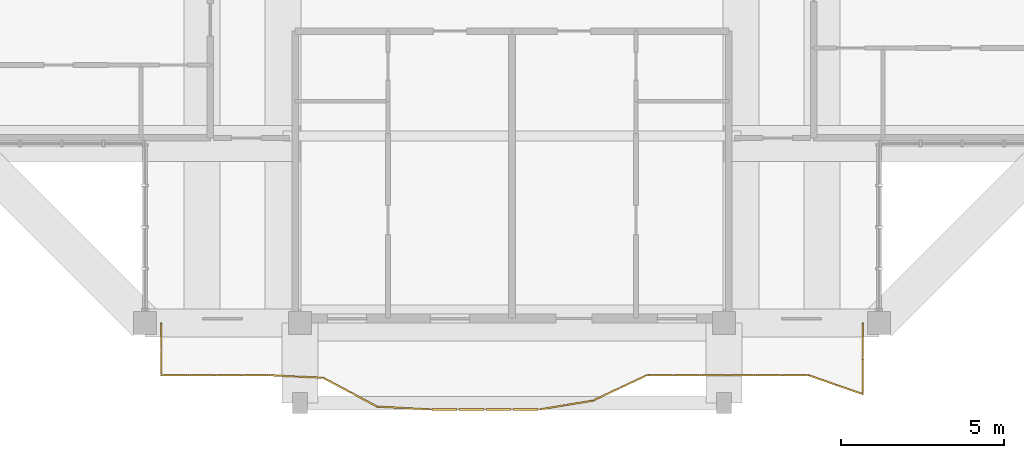
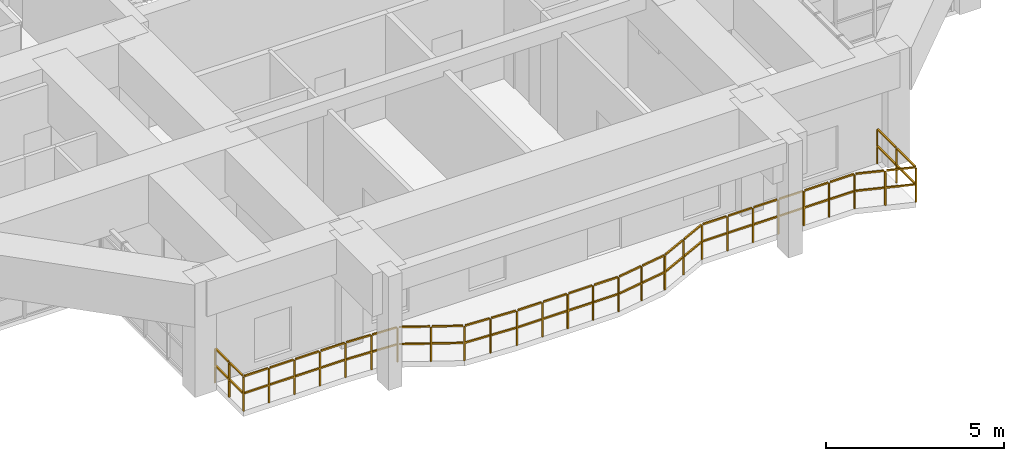
# One storey, part 23 of 27: 1 railing.
"""IFC4 building model written with IfcOpenShell, lengths in metres."""

from ifc_helpers import new_model, si_unit, direction, frame, origin, origin_2d, place, context, subcontext, project, spatial, rectangle, extrude, material, type_object, element, save


model = new_model("IFC4")

# Units and contexts
model_context = context("Model", 3, precision=1e-05, world=origin(), true_north=direction((0.0, 1.0)))
body_context = subcontext(model_context, "Body", "Model", "MODEL_VIEW")
ifc_project = project(units=[si_unit("LENGTHUNIT", "METRE"), si_unit("AREAUNIT", "SQUARE_METRE"), si_unit("VOLUMEUNIT", "CUBIC_METRE"), si_unit("PLANEANGLEUNIT", "RADIAN"), si_unit("MASSUNIT", "GRAM", prefix="KILO")], contexts=[model_context])

# Site, building, storey
site_placement = place(None, origin())
site = spatial("IfcSite", under=ifc_project, at=site_placement, CompositionType="ELEMENT")
building_placement = place(site_placement, origin())
building = spatial("IfcBuilding", under=site, at=building_placement, Name="Saelheon Loggia Tower", CompositionType="ELEMENT")
storey_placement = place(building_placement, frame((0.0, 0.0, 236.10009765625)))
storey = spatial("IfcBuildingStorey", under=building, at=storey_placement, Name="L73", CompositionType="ELEMENT", Elevation=236.10009765625)

# Railing
ifc_material = material(Name="Architectural Precast Concrete and Laminated Glass Guard", Category="concrete")
railing_type = type_object("IfcRailingType", Name="Guard_Loggia_RL_LOG", PredefinedType="BALUSTRADE", material=ifc_material)
railing_placement = place(storey_placement, frame((27.25, 6.0, 0.0)))
element("IfcRailing", 1, at=railing_placement, inside=storey, type_object=railing_type, Name="L73 South Loggia Balustrade", PredefinedType="BALUSTRADE", context=body_context, shape_type="SweptSolid", body=[
    extrude(rectangle(XDim=0.048095703125, YDim=0.048095703125, at=origin_2d()), frame((0.0, -0.033203125, 1.19580078125), z_axis=(0.0, -1.0, 0.0), x_axis=(1.0, 0.0, 0.0)), (0.0, 0.0, 1.0), 0.733642578125),
    extrude(rectangle(XDim=0.048095703125, YDim=0.048095703125, at=origin_2d()), frame((0.0, -0.033203125, 0.60986328125), z_axis=(0.0, -1.0, 0.0), x_axis=(1.0, 0.0, 0.0)), (0.0, 0.0, 1.0), 0.733642578125),
    extrude(rectangle(XDim=0.048095703125, YDim=0.048095703125, at=origin_2d()), frame((0.0, -0.833251953125, 1.19580078125), z_axis=(0.0, -1.0, 0.0), x_axis=(1.0, 0.0, 0.0)), (0.0, 0.0, 1.0), 0.733642578125),
    extrude(rectangle(XDim=0.048095703125, YDim=0.048095703125, at=origin_2d()), frame((0.0, -0.833251953125, 0.60986328125), z_axis=(0.0, -1.0, 0.0), x_axis=(1.0, 0.0, 0.0)), (0.0, 0.0, 1.0), 0.733642578125),
    extrude(rectangle(XDim=0.048095703125, YDim=0.048095703125, at=origin_2d()), frame((0.033203125, -1.60009765625, 1.19580078125), z_axis=(1.0, 0.0, 0.0), x_axis=(0.0, 1.0, 0.0)), (0.0, 0.0, 1.0), 0.760498046875),
    extrude(rectangle(XDim=0.048095703125, YDim=0.048095703125, at=origin_2d()), frame((0.033203125, -1.60009765625, 0.60986328125), z_axis=(1.0, 0.0, 0.0), x_axis=(0.0, 1.0, 0.0)), (0.0, 0.0, 1.0), 0.760498046875),
    extrude(rectangle(XDim=0.048095703125, YDim=0.048095703125, at=origin_2d()), frame((0.860107421875, -1.60009765625, 1.19580078125), z_axis=(1.0, 0.0, 0.0), x_axis=(0.0, 1.0, 0.0)), (0.0, 0.0, 1.0), 0.760498046875),
    extrude(rectangle(XDim=0.048095703125, YDim=0.048095703125, at=origin_2d()), frame((0.860107421875, -1.60009765625, 0.60986328125), z_axis=(1.0, 0.0, 0.0), x_axis=(0.0, 1.0, 0.0)), (0.0, 0.0, 1.0), 0.760498046875),
    extrude(rectangle(XDim=0.048095703125, YDim=0.048095703125, at=origin_2d()), frame((1.68701171875, -1.60009765625, 1.19580078125), z_axis=(1.0, 0.0, 0.0), x_axis=(0.0, 1.0, 0.0)), (0.0, 0.0, 1.0), 0.760498046875),
    extrude(rectangle(XDim=0.048095703125, YDim=0.048095703125, at=origin_2d()), frame((1.68701171875, -1.60009765625, 0.60986328125), z_axis=(1.0, 0.0, 0.0), x_axis=(0.0, 1.0, 0.0)), (0.0, 0.0, 1.0), 0.760498046875),
    extrude(rectangle(XDim=0.048095703125, YDim=0.048095703125, at=origin_2d()), frame((2.513916015625, -1.60009765625, 1.19580078125), z_axis=(1.0, 0.0, 0.0), x_axis=(0.0, 1.0, 0.0)), (0.0, 0.0, 1.0), 0.760498046875),
    extrude(rectangle(XDim=0.048095703125, YDim=0.048095703125, at=origin_2d()), frame((2.513916015625, -1.60009765625, 0.60986328125), z_axis=(1.0, 0.0, 0.0), x_axis=(0.0, 1.0, 0.0)), (0.0, 0.0, 1.0), 0.760498046875),
    extrude(rectangle(XDim=0.048095703125, YDim=0.048095703125, at=origin_2d()), frame((3.3408203125, -1.6015625, 1.19580078125), z_axis=(0.99891371025, -0.046598277597, 0.0), x_axis=(0.046598277597, 0.99891371025, 0.0)), (0.0, 0.0, 1.0), 0.76123046875),
    extrude(rectangle(XDim=0.048095703125, YDim=0.048095703125, at=origin_2d()), frame((3.3408203125, -1.6015625, 0.60986328125), z_axis=(0.99891371025, -0.046598277597, 0.0), x_axis=(0.046598277597, 0.99891371025, 0.0)), (0.0, 0.0, 1.0), 0.76123046875),
    extrude(rectangle(XDim=0.048095703125, YDim=0.048095703125, at=origin_2d()), frame((4.167724609375, -1.64013671875, 1.19580078125), z_axis=(0.99891371025, -0.046598277597, 0.0), x_axis=(0.046598277597, 0.99891371025, 0.0)), (0.0, 0.0, 1.0), 0.76123046875),
    extrude(rectangle(XDim=0.048095703125, YDim=0.048095703125, at=origin_2d()), frame((4.167724609375, -1.64013671875, 0.60986328125), z_axis=(0.99891371025, -0.046598277597, 0.0), x_axis=(0.046598277597, 0.99891371025, 0.0)), (0.0, 0.0, 1.0), 0.76123046875),
    extrude(rectangle(XDim=0.048095703125, YDim=0.048095703125, at=origin_2d()), frame((4.99072265625, -1.69287109375, 1.19580078125), z_axis=(0.882316888407, -0.470655828001, 0.0), x_axis=(0.470655828001, 0.882316888407, 0.0)), (0.0, 0.0, 1.0), 0.870849609375),
    extrude(rectangle(XDim=0.048095703125, YDim=0.048095703125, at=origin_2d()), frame((4.99072265625, -1.69287109375, 0.60986328125), z_axis=(0.882316888407, -0.470655828001, 0.0), x_axis=(0.470655828001, 0.882316888407, 0.0)), (0.0, 0.0, 1.0), 0.870849609375),
    extrude(rectangle(XDim=0.048095703125, YDim=0.048095703125, at=origin_2d()), frame((5.81787109375, -2.134033203125, 1.19580078125), z_axis=(0.882316888407, -0.470655828001, 0.0), x_axis=(0.470655828001, 0.882316888407, 0.0)), (0.0, 0.0, 1.0), 0.870849609375),
    extrude(rectangle(XDim=0.048095703125, YDim=0.048095703125, at=origin_2d()), frame((5.81787109375, -2.134033203125, 0.60986328125), z_axis=(0.882316888407, -0.470655828001, 0.0), x_axis=(0.470655828001, 0.882316888407, 0.0)), (0.0, 0.0, 1.0), 0.870849609375),
    extrude(rectangle(XDim=0.048095703125, YDim=0.048095703125, at=origin_2d()), frame((6.648681640625, -2.561279296875, 1.19580078125), z_axis=(0.99851162408, -0.05453931221, 0.0), x_axis=(0.05453931221, 0.99851162408, 0.0)), (0.0, 0.0, 1.0), 0.76171875),
    extrude(rectangle(XDim=0.048095703125, YDim=0.048095703125, at=origin_2d()), frame((6.648681640625, -2.561279296875, 0.60986328125), z_axis=(0.99851162408, -0.05453931221, 0.0), x_axis=(0.05453931221, 0.99851162408, 0.0)), (0.0, 0.0, 1.0), 0.76171875),
    extrude(rectangle(XDim=0.048095703125, YDim=0.048095703125, at=origin_2d()), frame((7.4755859375, -2.6064453125, 1.19580078125), z_axis=(0.99851162408, -0.05453931221, 0.0), x_axis=(0.05453931221, 0.99851162408, 0.0)), (0.0, 0.0, 1.0), 0.76171875),
    extrude(rectangle(XDim=0.048095703125, YDim=0.048095703125, at=origin_2d()), frame((7.4755859375, -2.6064453125, 0.60986328125), z_axis=(0.99851162408, -0.05453931221, 0.0), x_axis=(0.05453931221, 0.99851162408, 0.0)), (0.0, 0.0, 1.0), 0.76171875),
    extrude(rectangle(XDim=0.048095703125, YDim=0.048095703125, at=origin_2d()), frame((8.302490234375, -2.64990234375, 1.19580078125), z_axis=(1.0, 0.0, 0.0), x_axis=(0.0, 1.0, 0.0)), (0.0, 0.0, 1.0), 0.760498046875),
    extrude(rectangle(XDim=0.048095703125, YDim=0.048095703125, at=origin_2d()), frame((8.302490234375, -2.64990234375, 0.60986328125), z_axis=(1.0, 0.0, 0.0), x_axis=(0.0, 1.0, 0.0)), (0.0, 0.0, 1.0), 0.760498046875),
    extrude(rectangle(XDim=0.048095703125, YDim=0.048095703125, at=origin_2d()), frame((9.12939453125, -2.64990234375, 1.19580078125), z_axis=(1.0, 0.0, 0.0), x_axis=(0.0, 1.0, 0.0)), (0.0, 0.0, 1.0), 0.760498046875),
    extrude(rectangle(XDim=0.048095703125, YDim=0.048095703125, at=origin_2d()), frame((9.12939453125, -2.64990234375, 0.60986328125), z_axis=(1.0, 0.0, 0.0), x_axis=(0.0, 1.0, 0.0)), (0.0, 0.0, 1.0), 0.760498046875),
    extrude(rectangle(XDim=0.048095703125, YDim=0.048095703125, at=origin_2d()), frame((9.956298828125, -2.64990234375, 1.19580078125), z_axis=(1.0, 0.0, 0.0), x_axis=(0.0, 1.0, 0.0)), (0.0, 0.0, 1.0), 0.760498046875),
    extrude(rectangle(XDim=0.048095703125, YDim=0.048095703125, at=origin_2d()), frame((9.956298828125, -2.64990234375, 0.60986328125), z_axis=(1.0, 0.0, 0.0), x_axis=(0.0, 1.0, 0.0)), (0.0, 0.0, 1.0), 0.760498046875),
    extrude(rectangle(XDim=0.048095703125, YDim=0.048095703125, at=origin_2d()), frame((10.783203125, -2.64990234375, 1.19580078125), z_axis=(1.0, 0.0, 0.0), x_axis=(0.0, 1.0, 0.0)), (0.0, 0.0, 1.0), 0.760498046875),
    extrude(rectangle(XDim=0.048095703125, YDim=0.048095703125, at=origin_2d()), frame((10.783203125, -2.64990234375, 0.60986328125), z_axis=(1.0, 0.0, 0.0), x_axis=(0.0, 1.0, 0.0)), (0.0, 0.0, 1.0), 0.760498046875),
    extrude(rectangle(XDim=0.048095703125, YDim=0.048095703125, at=origin_2d()), frame((11.609619140625, -2.64453125, 1.19580078125), z_axis=(0.986652505237, 0.162839902695, 0.0), x_axis=(-0.162839902695, 0.986652505237, 0.0)), (0.0, 0.0, 1.0), 0.771728515625),
    extrude(rectangle(XDim=0.048095703125, YDim=0.048095703125, at=origin_2d()), frame((11.609619140625, -2.64453125, 0.60986328125), z_axis=(0.986652505237, 0.162839902695, 0.0), x_axis=(-0.162839902695, 0.986652505237, 0.0)), (0.0, 0.0, 1.0), 0.771728515625),
    extrude(rectangle(XDim=0.048095703125, YDim=0.048095703125, at=origin_2d()), frame((12.4365234375, -2.508056640625, 1.19580078125), z_axis=(0.986652505237, 0.162839902695, 0.0), x_axis=(-0.162839902695, 0.986652505237, 0.0)), (0.0, 0.0, 1.0), 0.771728515625),
    extrude(rectangle(XDim=0.048095703125, YDim=0.048095703125, at=origin_2d()), frame((12.4365234375, -2.508056640625, 0.60986328125), z_axis=(0.986652505237, 0.162839902695, 0.0), x_axis=(-0.162839902695, 0.986652505237, 0.0)), (0.0, 0.0, 1.0), 0.771728515625),
    extrude(rectangle(XDim=0.048095703125, YDim=0.048095703125, at=origin_2d()), frame((13.2607421875, -2.36279296875, 1.19580078125), z_axis=(0.905115238817, 0.425166325644, 0.0), x_axis=(-0.425166325644, 0.905115238817, 0.0)), (0.0, 0.0, 1.0), 0.84716796875),
    extrude(rectangle(XDim=0.048095703125, YDim=0.048095703125, at=origin_2d()), frame((13.2607421875, -2.36279296875, 0.60986328125), z_axis=(0.905115238817, 0.425166325644, 0.0), x_axis=(-0.425166325644, 0.905115238817, 0.0)), (0.0, 0.0, 1.0), 0.84716796875),
    extrude(rectangle(XDim=0.048095703125, YDim=0.048095703125, at=origin_2d()), frame((14.087646484375, -1.974365234375, 1.19580078125), z_axis=(0.905115238817, 0.425166325644, 0.0), x_axis=(-0.425166325644, 0.905115238817, 0.0)), (0.0, 0.0, 1.0), 0.84716796875),
    extrude(rectangle(XDim=0.048095703125, YDim=0.048095703125, at=origin_2d()), frame((14.087646484375, -1.974365234375, 0.60986328125), z_axis=(0.905115238817, 0.425166325644, 0.0), x_axis=(-0.425166325644, 0.905115238817, 0.0)), (0.0, 0.0, 1.0), 0.84716796875),
    extrude(rectangle(XDim=0.048095703125, YDim=0.048095703125, at=origin_2d()), frame((14.917724609375, -1.60009765625, 1.19580078125), z_axis=(1.0, 0.0, 0.0), x_axis=(0.0, 1.0, 0.0)), (0.0, 0.0, 1.0), 0.760498046875),
    extrude(rectangle(XDim=0.048095703125, YDim=0.048095703125, at=origin_2d()), frame((14.917724609375, -1.60009765625, 0.60986328125), z_axis=(1.0, 0.0, 0.0), x_axis=(0.0, 1.0, 0.0)), (0.0, 0.0, 1.0), 0.760498046875),
    extrude(rectangle(XDim=0.048095703125, YDim=0.048095703125, at=origin_2d()), frame((15.744873046875, -1.60009765625, 1.19580078125), z_axis=(1.0, 0.0, 0.0), x_axis=(0.0, 1.0, 0.0)), (0.0, 0.0, 1.0), 0.760498046875),
    extrude(rectangle(XDim=0.048095703125, YDim=0.048095703125, at=origin_2d()), frame((15.744873046875, -1.60009765625, 0.60986328125), z_axis=(1.0, 0.0, 0.0), x_axis=(0.0, 1.0, 0.0)), (0.0, 0.0, 1.0), 0.760498046875),
    extrude(rectangle(XDim=0.048095703125, YDim=0.048095703125, at=origin_2d()), frame((16.57177734375, -1.60009765625, 1.19580078125), z_axis=(1.0, 0.0, 0.0), x_axis=(0.0, 1.0, 0.0)), (0.0, 0.0, 1.0), 0.760498046875),
    extrude(rectangle(XDim=0.048095703125, YDim=0.048095703125, at=origin_2d()), frame((16.57177734375, -1.60009765625, 0.60986328125), z_axis=(1.0, 0.0, 0.0), x_axis=(0.0, 1.0, 0.0)), (0.0, 0.0, 1.0), 0.760498046875),
    extrude(rectangle(XDim=0.048095703125, YDim=0.048095703125, at=origin_2d()), frame((17.398681640625, -1.60009765625, 1.19580078125), z_axis=(1.0, 0.0, 0.0), x_axis=(0.0, 1.0, 0.0)), (0.0, 0.0, 1.0), 0.760498046875),
    extrude(rectangle(XDim=0.048095703125, YDim=0.048095703125, at=origin_2d()), frame((17.398681640625, -1.60009765625, 0.60986328125), z_axis=(1.0, 0.0, 0.0), x_axis=(0.0, 1.0, 0.0)), (0.0, 0.0, 1.0), 0.760498046875),
    extrude(rectangle(XDim=0.048095703125, YDim=0.048095703125, at=origin_2d()), frame((18.2255859375, -1.60009765625, 1.19580078125), z_axis=(1.0, 0.0, 0.0), x_axis=(0.0, 1.0, 0.0)), (0.0, 0.0, 1.0), 0.760498046875),
    extrude(rectangle(XDim=0.048095703125, YDim=0.048095703125, at=origin_2d()), frame((18.2255859375, -1.60009765625, 0.60986328125), z_axis=(1.0, 0.0, 0.0), x_axis=(0.0, 1.0, 0.0)), (0.0, 0.0, 1.0), 0.760498046875),
    extrude(rectangle(XDim=0.048095703125, YDim=0.048095703125, at=origin_2d()), frame((19.052490234375, -1.60009765625, 1.19580078125), z_axis=(1.0, 0.0, 0.0), x_axis=(0.0, 1.0, 0.0)), (0.0, 0.0, 1.0), 0.760498046875),
    extrude(rectangle(XDim=0.048095703125, YDim=0.048095703125, at=origin_2d()), frame((19.052490234375, -1.60009765625, 0.60986328125), z_axis=(1.0, 0.0, 0.0), x_axis=(0.0, 1.0, 0.0)), (0.0, 0.0, 1.0), 0.760498046875),
    extrude(rectangle(XDim=0.048095703125, YDim=0.048095703125, at=origin_2d()), frame((19.877685546875, -1.611083984375, 1.19580078125), z_axis=(0.944157835561, -0.329493522773, 0.0), x_axis=(0.329493522773, 0.944157835561, 0.0)), (0.0, 0.0, 1.0), 0.809326171875),
    extrude(rectangle(XDim=0.048095703125, YDim=0.048095703125, at=origin_2d()), frame((19.877685546875, -1.611083984375, 0.60986328125), z_axis=(0.944157835561, -0.329493522773, 0.0), x_axis=(0.329493522773, 0.944157835561, 0.0)), (0.0, 0.0, 1.0), 0.809326171875),
    extrude(rectangle(XDim=0.048095703125, YDim=0.048095703125, at=origin_2d()), frame((20.70458984375, -1.899658203125, 1.19580078125), z_axis=(0.944157835561, -0.329493522773, 0.0), x_axis=(0.329493522773, 0.944157835561, 0.0)), (0.0, 0.0, 1.0), 0.809326171875),
    extrude(rectangle(XDim=0.048095703125, YDim=0.048095703125, at=origin_2d()), frame((20.70458984375, -1.899658203125, 0.60986328125), z_axis=(0.944157835561, -0.329493522773, 0.0), x_axis=(0.329493522773, 0.944157835561, 0.0)), (0.0, 0.0, 1.0), 0.809326171875),
    extrude(rectangle(XDim=0.048095703125, YDim=0.048095703125, at=origin_2d()), frame((21.5, -2.14404296875, 1.19580078125), z_axis=(0.0, 1.0, 0.0), x_axis=(-1.0, 0.0, 0.0)), (0.0, 0.0, 1.0), 1.022216796875),
    extrude(rectangle(XDim=0.048095703125, YDim=0.048095703125, at=origin_2d()), frame((21.5, -2.14404296875, 0.60986328125), z_axis=(0.0, 1.0, 0.0), x_axis=(-1.0, 0.0, 0.0)), (0.0, 0.0, 1.0), 1.022216796875),
    extrude(rectangle(XDim=0.048095703125, YDim=0.048095703125, at=origin_2d()), frame((21.5, -1.055419921875, 1.19580078125), z_axis=(0.0, 1.0, 0.0), x_axis=(-1.0, 0.0, 0.0)), (0.0, 0.0, 1.0), 1.022216796875),
    extrude(rectangle(XDim=0.048095703125, YDim=0.048095703125, at=origin_2d()), frame((21.5, -1.055419921875, 0.60986328125), z_axis=(0.0, 1.0, 0.0), x_axis=(-1.0, 0.0, 0.0)), (0.0, 0.0, 1.0), 1.022216796875),
    extrude(rectangle(XDim=0.0419921875, YDim=0.0419921875, at=origin_2d()), origin(), (0.0, 0.0, 1.0), 1.16796875),
    extrude(rectangle(XDim=0.0419921875, YDim=0.0419921875, at=origin_2d()), frame((0.0, -0.800048828125, 0.0)), (0.0, 0.0, 1.0), 1.16796875),
    extrude(rectangle(XDim=0.0419921875, YDim=0.0419921875, at=origin_2d()), frame((0.0, -1.60009765625, 0.0)), (0.0, 0.0, 1.0), 1.16796875),
    extrude(rectangle(XDim=0.0419921875, YDim=0.0419921875, at=origin_2d()), frame((0.826904296875, -1.60009765625, 0.0)), (0.0, 0.0, 1.0), 1.16796875),
    extrude(rectangle(XDim=0.0419921875, YDim=0.0419921875, at=origin_2d()), frame((1.65380859375, -1.60009765625, 0.0)), (0.0, 0.0, 1.0), 1.16796875),
    extrude(rectangle(XDim=0.0419921875, YDim=0.0419921875, at=origin_2d()), frame((2.480712890625, -1.60009765625, 0.0)), (0.0, 0.0, 1.0), 1.16796875),
    extrude(rectangle(XDim=0.0419921875, YDim=0.0419921875, at=origin_2d()), frame((3.3076171875, -1.60009765625, 0.0)), (0.0, 0.0, 1.0), 1.16796875),
    extrude(rectangle(XDim=0.0419921875, YDim=0.0419921875, at=origin_2d()), frame((4.134521484375, -1.638671875, 0.0)), (0.0, 0.0, 1.0), 1.16796875),
    extrude(rectangle(XDim=0.0419921875, YDim=0.0419921875, at=origin_2d()), frame((4.96142578125, -1.67724609375, 0.0)), (0.0, 0.0, 1.0), 1.16796875),
    extrude(rectangle(XDim=0.0419921875, YDim=0.0419921875, at=origin_2d()), frame((5.78857421875, -2.118408203125, 0.0)), (0.0, 0.0, 1.0), 1.16796875),
    extrude(rectangle(XDim=0.0419921875, YDim=0.0419921875, at=origin_2d()), frame((6.615478515625, -2.5595703125, 0.0)), (0.0, 0.0, 1.0), 1.16796875),
    extrude(rectangle(XDim=0.0419921875, YDim=0.0419921875, at=origin_2d()), frame((7.4423828125, -2.604736328125, 0.0)), (0.0, 0.0, 1.0), 1.16796875),
    extrude(rectangle(XDim=0.0419921875, YDim=0.0419921875, at=origin_2d()), frame((8.269287109375, -2.64990234375, 0.0)), (0.0, 0.0, 1.0), 1.16796875),
    extrude(rectangle(XDim=0.0419921875, YDim=0.0419921875, at=origin_2d()), frame((9.09619140625, -2.64990234375, 0.0)), (0.0, 0.0, 1.0), 1.16796875),
    extrude(rectangle(XDim=0.0419921875, YDim=0.0419921875, at=origin_2d()), frame((9.923095703125, -2.64990234375, 0.0)), (0.0, 0.0, 1.0), 1.16796875),
    extrude(rectangle(XDim=0.0419921875, YDim=0.0419921875, at=origin_2d()), frame((10.75, -2.64990234375, 0.0)), (0.0, 0.0, 1.0), 1.16796875),
    extrude(rectangle(XDim=0.0419921875, YDim=0.0419921875, at=origin_2d()), frame((11.576904296875, -2.64990234375, 0.0)), (0.0, 0.0, 1.0), 1.16796875),
    extrude(rectangle(XDim=0.0419921875, YDim=0.0419921875, at=origin_2d()), frame((12.40380859375, -2.513427734375, 0.0)), (0.0, 0.0, 1.0), 1.16796875),
    extrude(rectangle(XDim=0.0419921875, YDim=0.0419921875, at=origin_2d()), frame((13.230712890625, -2.376953125, 0.0)), (0.0, 0.0, 1.0), 1.16796875),
    extrude(rectangle(XDim=0.0419921875, YDim=0.0419921875, at=origin_2d()), frame((14.0576171875, -1.988525390625, 0.0)), (0.0, 0.0, 1.0), 1.16796875),
    extrude(rectangle(XDim=0.0419921875, YDim=0.0419921875, at=origin_2d()), frame((14.884521484375, -1.60009765625, 0.0)), (0.0, 0.0, 1.0), 1.16796875),
    extrude(rectangle(XDim=0.0419921875, YDim=0.0419921875, at=origin_2d()), frame((15.71142578125, -1.60009765625, 0.0)), (0.0, 0.0, 1.0), 1.16796875),
    extrude(rectangle(XDim=0.0419921875, YDim=0.0419921875, at=origin_2d()), frame((16.53857421875, -1.60009765625, 0.0)), (0.0, 0.0, 1.0), 1.16796875),
    extrude(rectangle(XDim=0.0419921875, YDim=0.0419921875, at=origin_2d()), frame((17.365478515625, -1.60009765625, 0.0)), (0.0, 0.0, 1.0), 1.16796875),
    extrude(rectangle(XDim=0.0419921875, YDim=0.0419921875, at=origin_2d()), frame((18.1923828125, -1.60009765625, 0.0)), (0.0, 0.0, 1.0), 1.16796875),
    extrude(rectangle(XDim=0.0419921875, YDim=0.0419921875, at=origin_2d()), frame((19.019287109375, -1.60009765625, 0.0)), (0.0, 0.0, 1.0), 1.16796875),
    extrude(rectangle(XDim=0.0419921875, YDim=0.0419921875, at=origin_2d()), frame((19.84619140625, -1.60009765625, 0.0)), (0.0, 0.0, 1.0), 1.16796875),
    extrude(rectangle(XDim=0.0419921875, YDim=0.0419921875, at=origin_2d()), frame((20.673095703125, -1.888671875, 0.0)), (0.0, 0.0, 1.0), 1.16796875),
    extrude(rectangle(XDim=0.0419921875, YDim=0.0419921875, at=origin_2d()), frame((21.5, -2.17724609375, 0.0)), (0.0, 0.0, 1.0), 1.16796875),
    extrude(rectangle(XDim=0.0419921875, YDim=0.0419921875, at=origin_2d()), frame((21.5, -1.088623046875, 0.0)), (0.0, 0.0, 1.0), 1.16796875),
    extrude(rectangle(XDim=0.0419921875, YDim=0.0419921875, at=origin_2d()), frame((21.5, 0.0, 0.0)), (0.0, 0.0, 1.0), 1.16796875),
])

save(model, "model.ifc")
